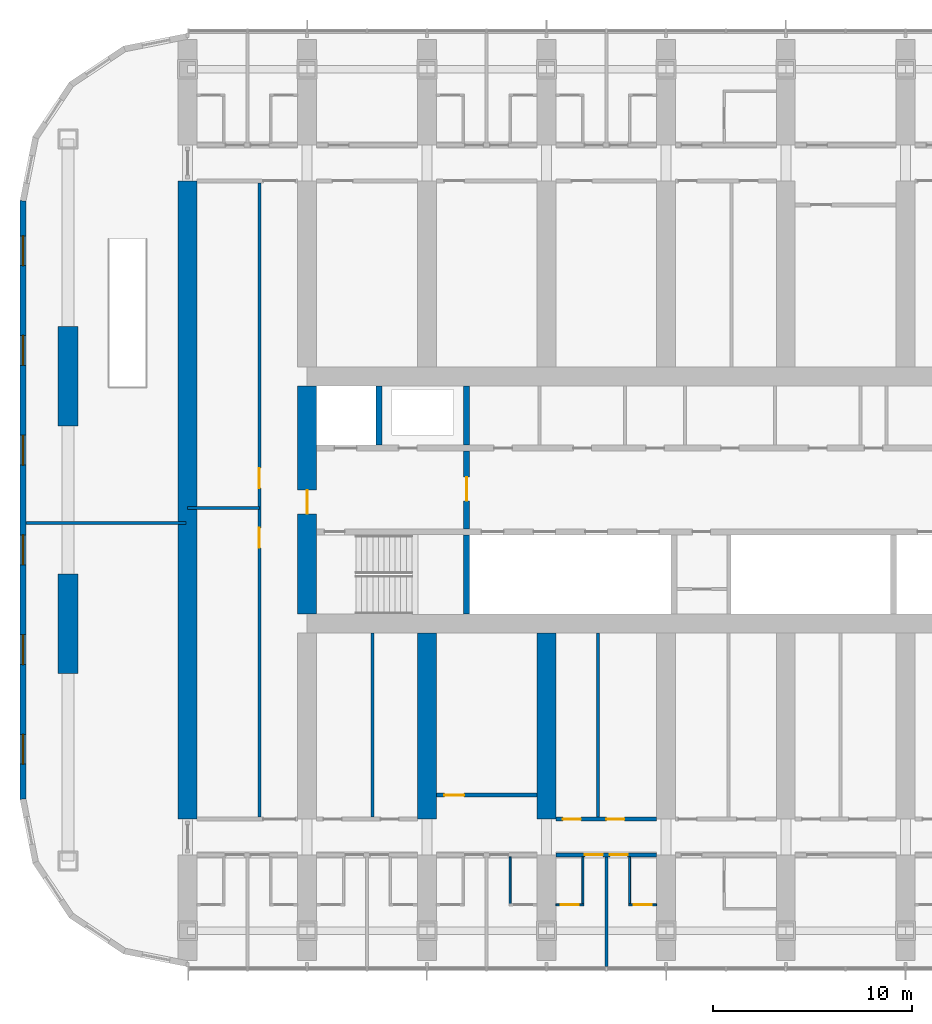
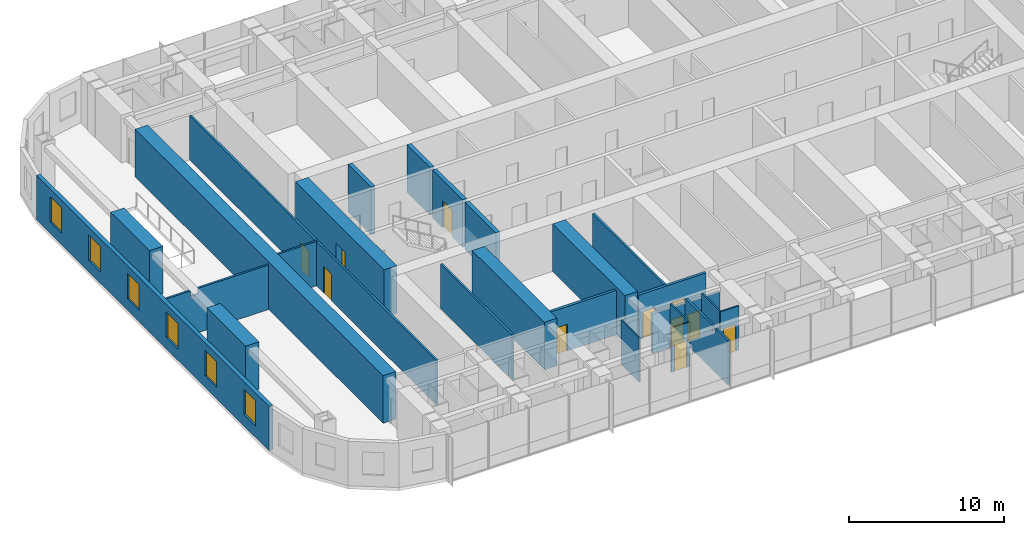
# One storey, part 9 of 21: 25 walls, 11 doors, 6 windows, 17 openings.
"""IFC4 building model written with IfcOpenShell, lengths in metres."""

from ifc_helpers import new_model, si_unit, direction, frame, frame_2d, origin, place, context, subcontext, project, spatial, polyline, rectangle, outline, extrude, material, layer, layer_set, type_object, element, fill, save


model = new_model("IFC4")

# Units and contexts
model_context = context("Model", 3, precision=1e-05, world=origin(), true_north=direction((0.0, 1.0)))
body_context = subcontext(model_context, "Body", "Model", "MODEL_VIEW")
ifc_project = project(units=[si_unit("LENGTHUNIT", "METRE"), si_unit("AREAUNIT", "SQUARE_METRE"), si_unit("VOLUMEUNIT", "CUBIC_METRE"), si_unit("PLANEANGLEUNIT", "RADIAN"), si_unit("MASSUNIT", "GRAM", prefix="KILO")], contexts=[model_context])

# Site, building, storey
site_placement = place(None, origin())
site = spatial("IfcSite", under=ifc_project, at=site_placement, CompositionType="ELEMENT")
building_placement = place(site_placement, origin())
building = spatial("IfcBuilding", under=site, at=building_placement, Name="Orbita Commons", CompositionType="ELEMENT")
storey_placement = place(building_placement, frame((0.0, 0.0, 88.14990234375)))
storey = spatial("IfcBuildingStorey", under=building, at=storey_placement, Name="L21", CompositionType="ELEMENT", Elevation=88.14990234375)

# Wall
ifc_material_1 = material(Name="Concrete C50/60", Category="concrete")
ifc_layer_1 = layer(ifc_material_1, 0.300048828125)
ifc_layer_set_1 = layer_set([ifc_layer_1], Name="Concrete C50/60")
wall_type_1 = type_object("IfcWallType", Name="Core inner wall 300 C50/60", PredefinedType="SHEAR", material=ifc_layer_set_1)
wall_1_placement = place(storey_placement, frame((26.0, 26.27490234375, 0.0), z_axis=(0.0, 0.0, 1.0), x_axis=(0.0, 1.0, 0.0)))
element("IfcWall", 1, at=wall_1_placement, inside=storey, type_object=wall_type_1, Name="Stair S1 wall L21", PredefinedType="SHEAR", context=body_context, shape_type="SweptSolid", body=[
    extrude(rectangle(XDim=3.97509765625, YDim=0.300048828125, at=frame_2d((1.987548828125, 0.0))), origin(), (0.0, 0.0, 1.0), 3.75),
])

# Wall, opening, door
wall_2_placement = place(storey_placement, frame((26.0, 30.550048828125, 0.0), z_axis=(0.0, 0.0, 1.0), x_axis=(0.0, 1.0, 0.0)))
wall_2 = element("IfcWall", 2, at=wall_2_placement, inside=storey, type_object=wall_type_1, Name="Firefighting lobby wall west L21", PredefinedType="SHEAR", context=body_context, shape_type="SweptSolid", body=[
    extrude(rectangle(XDim=3.89990234375, YDim=0.300048828125, at=frame_2d((1.949951171875, 0.0))), origin(), (0.0, 0.0, 1.0), 3.75),
])
opening_1_placement = place(wall_2_placement, frame((1.39990234375, 0.0, 0.0)))
opening_1 = element("IfcOpeningElement", 3, at=opening_1_placement, cuts=wall_2, Name="Opening D04", PredefinedType="OPENING", context=body_context, shape_type="SweptSolid", body=[
    extrude(rectangle(XDim=1.199951171875, YDim=2.10009765625, at=frame_2d((0.60009765625, 1.050048828125))), frame((0.0, 0.159912109375, 0.0), z_axis=(0.0, -1.0, 0.0), x_axis=(1.0, 0.0, 0.0)), (0.0, 0.0, 1.0), 0.320068359375),
])
ifc_material_2 = material(Name="Steel-faced fire door leaf", Category="steel")
door_type_1 = type_object("IfcDoorType", Name="Service door 20 min 1200x2100", OperationType="SINGLE_SWING_LEFT", PredefinedType="DOOR", material=ifc_material_2)
door_1_placement = place(opening_1_placement, origin())
door_1 = element("IfcDoor", 4, at=door_1_placement, inside=storey, type_object=door_type_1, Name="Lift lobby door west", OperationType="SINGLE_SWING_LEFT", OverallHeight=2.10009765625, OverallWidth=1.199951171875, PredefinedType="DOOR", context=body_context, shape_type="SweptSolid", body=[
    extrude(rectangle(XDim=1.199951171875, YDim=2.10009765625, at=frame_2d((0.60009765625, 1.050048828125))), frame((0.0, 0.02490234375, 0.0), z_axis=(0.0, -1.0, 0.0), x_axis=(1.0, 0.0, 0.0)), (0.0, 0.0, 1.0), 0.050048828125),
])
fill(opening_1, door_1)

# Walls
for number, where, z_axis, x_axis, name in (
    (5, (21.60009765625, 34.75, 0.0), (0.0, 0.0, 1.0), (0.0, 1.0, 0.0), "Firefighting lift FL1 shaft wall L21"),
    (6, (26.0, 34.75, 0.0), (0.0, 0.0, 1.0), (0.0, 1.0, 0.0), "Riser wall west L21"),
):
    element("IfcWall", number, at=place(storey_placement, frame(where, z_axis=z_axis, x_axis=x_axis)), inside=storey, type_object=wall_type_1, Name=name, PredefinedType="SHEAR", context=body_context, shape_type="SweptSolid", body=[
        extrude(rectangle(XDim=2.97509765625, YDim=0.300048828125, at=frame_2d((1.487548828125, 0.0))), origin(), (0.0, 0.0, 1.0), 3.75),
    ])

# Wall, opening, door
ifc_material_3 = material(Name="Concrete C50/60", Category="concrete")
ifc_layer_2 = layer(ifc_material_3, 0.949951171875)
ifc_layer_set_2 = layer_set([ifc_layer_2], Name="Concrete C50/60")
wall_type_2 = type_object("IfcWallType", Name="Core wall 950 C50/60", PredefinedType="SHEAR", material=ifc_layer_set_2)
wall_3_placement = place(storey_placement, frame((18.0, 26.27490234375, 0.0), z_axis=(0.0, 0.0, 1.0), x_axis=(0.0, 1.0, 0.0)))
wall_3 = element("IfcWall", 7, at=wall_3_placement, inside=storey, type_object=wall_type_2, Name="Core end wall west L21", PredefinedType="SHEAR", context=body_context, shape_type="SweptSolid", body=[
    extrude(rectangle(XDim=11.4501953125, YDim=0.949951171875, at=frame_2d((5.72509765625, 0.0))), origin(), (0.0, 0.0, 1.0), 3.75),
])
opening_2_placement = place(wall_3_placement, frame((5.02490234375, 0.0, 0.0)))
opening_2 = element("IfcOpeningElement", 8, at=opening_2_placement, cuts=wall_3, Name="Opening D01", PredefinedType="OPENING", context=body_context, shape_type="SweptSolid", body=[
    extrude(rectangle(XDim=1.199951171875, YDim=2.10009765625, at=frame_2d((0.60009765625, 1.050048828125))), frame((0.0, 0.48486328125, 0.0), z_axis=(0.0, -1.0, 0.0), x_axis=(1.0, 0.0, 0.0)), (0.0, 0.0, 1.0), 0.969970703125),
])
ifc_material_4 = material(Name="Steel-faced fire door leaf", Category="steel")
door_type_2 = type_object("IfcDoorType", Name="Fire door 90 min 1200x2100", OperationType="SINGLE_SWING_LEFT", PredefinedType="DOOR", material=ifc_material_4)
door_2_placement = place(opening_2_placement, origin())
door_2 = element("IfcDoor", 9, at=door_2_placement, inside=storey, type_object=door_type_2, Name="Firefighting lobby west door", OperationType="SINGLE_SWING_LEFT", OverallHeight=2.10009765625, OverallWidth=1.199951171875, PredefinedType="DOOR", context=body_context, shape_type="SweptSolid", body=[
    extrude(rectangle(XDim=1.199951171875, YDim=2.10009765625, at=frame_2d((0.60009765625, 1.050048828125))), frame((0.0, 0.02490234375, 0.0), z_axis=(0.0, -1.0, 0.0), x_axis=(1.0, 0.0, 0.0)), (0.0, 0.0, 1.0), 0.050048828125),
])
fill(opening_2, door_2)

# Wall, openings, doors
ifc_material_5 = material(Name="Concrete blockwork", Category="masonry")
ifc_layer_3 = layer(ifc_material_5, 0.199951171875)
ifc_layer_set_3 = layer_set([ifc_layer_3], Name="Concrete blockwork")
wall_type_3 = type_object("IfcWallType", Name="Corridor wall 200 blockwork", PredefinedType="SOLIDWALL", material=ifc_layer_set_3)
wall_4_placement = place(storey_placement, frame((30.47509765625, 14.199951171875, 0.0), z_axis=(0.0, 0.0, 1.0), x_axis=(1.0, 0.0, 0.0)))
wall_4 = element("IfcWall", 10, at=wall_4_placement, inside=storey, type_object=wall_type_3, Name="Corridor wall 200 blockwork L21", PredefinedType="SOLIDWALL", context=body_context, shape_type="SweptSolid", body=[
    extrude(outline(polyline([(0.0, 0.0), (5.0498046875, 0.0), (5.050048828125, 3.10009765625), (0.0, 3.10009765625), (0.0, 0.0)])), frame((0.0, 0.10009765625, 0.0), z_axis=(0.0, -1.0, 0.0), x_axis=(1.0, 0.0, 0.0)), (0.0, 0.0, 1.0), 0.199951171875),
])
opening_3_placement = place(wall_4_placement, frame((1.449951171875, 0.0, 0.0)))
opening_3 = element("IfcOpeningElement", 11, at=opening_3_placement, cuts=wall_4, Name="Opening D11", PredefinedType="OPENING", context=body_context, shape_type="SweptSolid", body=[
    extrude(rectangle(XDim=0.89990234375, YDim=2.10009765625, at=frame_2d((0.449951171875, 1.050048828125))), frame((0.0, 0.10986328125, 0.0), z_axis=(0.0, -1.0, 0.0), x_axis=(1.0, 0.0, 0.0)), (0.0, 0.0, 1.0), 0.219970703125),
])
opening_4_placement = place(wall_4_placement, frame((2.699951171875, 0.0, 0.0)))
opening_4 = element("IfcOpeningElement", 12, at=opening_4_placement, cuts=wall_4, Name="Opening D11", PredefinedType="OPENING", context=body_context, shape_type="SweptSolid", body=[
    extrude(rectangle(XDim=0.89990234375, YDim=2.10009765625, at=frame_2d((0.449951171875, 1.050048828125))), frame((0.0, 0.10986328125, 0.0), z_axis=(0.0, -1.0, 0.0), x_axis=(1.0, 0.0, 0.0)), (0.0, 0.0, 1.0), 0.219970703125),
])
ifc_material_6 = material(Name="Steel-faced fire door leaf", Category="steel")
door_type_3 = type_object("IfcDoorType", Name="Corridor door 20 min 900x2100", OperationType="SINGLE_SWING_LEFT", PredefinedType="DOOR", material=ifc_material_6)
door_3_placement = place(opening_3_placement, origin())
door_3 = element("IfcDoor", 13, at=door_3_placement, inside=storey, type_object=door_type_3, Name="Cluster bedroom L21-S06 door", OperationType="SINGLE_SWING_LEFT", OverallHeight=2.10009765625, OverallWidth=0.89990234375, PredefinedType="DOOR", context=body_context, shape_type="SweptSolid", body=[
    extrude(rectangle(XDim=0.89990234375, YDim=2.10009765625, at=frame_2d((0.449951171875, 1.050048828125))), frame((0.0, 0.02490234375, 0.0), z_axis=(0.0, -1.0, 0.0), x_axis=(1.0, 0.0, 0.0)), (0.0, 0.0, 1.0), 0.050048828125),
])
fill(opening_3, door_3)
door_4_placement = place(opening_4_placement, origin())
door_4 = element("IfcDoor", 14, at=door_4_placement, inside=storey, type_object=door_type_3, Name="Cluster bedroom L21-S07 door", OperationType="SINGLE_SWING_LEFT", OverallHeight=2.10009765625, OverallWidth=0.89990234375, PredefinedType="DOOR", context=body_context, shape_type="SweptSolid", body=[
    extrude(rectangle(XDim=0.89990234375, YDim=2.10009765625, at=frame_2d((0.449951171875, 1.050048828125))), frame((0.0, 0.02490234375, 0.0), z_axis=(0.0, -1.0, 0.0), x_axis=(1.0, 0.0, 0.0)), (0.0, 0.0, 1.0), 0.050048828125),
])
fill(opening_4, door_4)

ifc_material_7 = material(Name="Hollow concrete block 200", Category="concrete")
ifc_layer_4 = layer(ifc_material_7, 0.199951171875)
ifc_layer_set_4 = layer_set([ifc_layer_4], Name="Hollow concrete block 200")
wall_type_4 = type_object("IfcWallType", Name="Corridor wall 200 hollow concrete block", PredefinedType="SOLIDWALL", material=ifc_layer_set_4)
wall_5_placement = place(storey_placement, frame((30.47509765625, 16.0, 0.0), z_axis=(0.0, 0.0, 1.0), x_axis=(1.0, 0.0, 0.0)))
wall_5 = element("IfcWall", 15, at=wall_5_placement, inside=storey, type_object=wall_type_4, Name="Corridor wall 200 hollow concrete block L21", PredefinedType="SOLIDWALL", context=body_context, shape_type="SweptSolid", body=[
    extrude(rectangle(XDim=5.0498046875, YDim=0.199951171875, at=frame_2d((2.52490234375, 0.0))), origin(), (0.0, 0.0, 1.0), 3.5),
])
opening_5_placement = place(wall_5_placement, frame((0.35009765625, 0.0, 0.0)))
opening_5 = element("IfcOpeningElement", 16, at=opening_5_placement, cuts=wall_5, Name="Opening D11", PredefinedType="OPENING", context=body_context, shape_type="SweptSolid", body=[
    extrude(rectangle(XDim=0.89990234375, YDim=2.10009765625, at=frame_2d((0.449951171875, 1.050048828125))), frame((0.0, 0.10986328125, 0.0), z_axis=(0.0, -1.0, 0.0), x_axis=(1.0, 0.0, 0.0)), (0.0, 0.0, 1.0), 0.219970703125),
])
opening_6_placement = place(wall_5_placement, frame((2.534912109375, 0.0, 0.0)))
opening_6 = element("IfcOpeningElement", 17, at=opening_6_placement, cuts=wall_5, Name="Opening D11", PredefinedType="OPENING", context=body_context, shape_type="SweptSolid", body=[
    extrude(rectangle(XDim=0.89990234375, YDim=2.10009765625, at=frame_2d((0.449951171875, 1.050048828125))), frame((0.0, 0.10986328125, 0.0), z_axis=(0.0, -1.0, 0.0), x_axis=(1.0, 0.0, 0.0)), (0.0, 0.0, 1.0), 0.219970703125),
])
door_5_placement = place(opening_5_placement, origin())
door_5 = element("IfcDoor", 18, at=door_5_placement, inside=storey, type_object=door_type_3, Name="Equipment store L21-BDS30n door", OperationType="SINGLE_SWING_LEFT", OverallHeight=2.10009765625, OverallWidth=0.89990234375, PredefinedType="DOOR", context=body_context, shape_type="SweptSolid", body=[
    extrude(rectangle(XDim=0.89990234375, YDim=2.10009765625, at=frame_2d((0.449951171875, 1.050048828125))), frame((0.0, 0.02490234375, 0.0), z_axis=(0.0, -1.0, 0.0), x_axis=(1.0, 0.0, 0.0)), (0.0, 0.0, 1.0), 0.050048828125),
])
fill(opening_5, door_5)
door_6_placement = place(opening_6_placement, origin())
door_6 = element("IfcDoor", 19, at=door_6_placement, inside=storey, type_object=door_type_3, Name="Bicycle repair workshop L21-BDS30 door", OperationType="SINGLE_SWING_LEFT", OverallHeight=2.10009765625, OverallWidth=0.89990234375, PredefinedType="DOOR", context=body_context, shape_type="SweptSolid", body=[
    extrude(rectangle(XDim=0.89990234375, YDim=2.10009765625, at=frame_2d((0.449951171875, 1.050048828125))), frame((0.0, 0.02490234375, 0.0), z_axis=(0.0, -1.0, 0.0), x_axis=(1.0, 0.0, 0.0)), (0.0, 0.0, 1.0), 0.050048828125),
])
fill(opening_6, door_6)

# Wall, opening, door
wall_6_placement = place(storey_placement, frame((24.47509765625, 17.199951171875, 0.0), z_axis=(0.0, 0.0, 1.0), x_axis=(1.0, 0.0, 0.0)))
wall_6 = element("IfcWall", 20, at=wall_6_placement, inside=storey, type_object=wall_type_4, Name="Corridor wall 200 hollow concrete block L21", PredefinedType="SOLIDWALL", context=body_context, shape_type="SweptSolid", body=[
    extrude(rectangle(XDim=5.0498046875, YDim=0.199951171875, at=frame_2d((2.52490234375, 0.0))), origin(), (0.0, 0.0, 1.0), 3.5),
])
opening_7_placement = place(wall_6_placement, frame((0.39990234375, 0.0, 0.0)))
opening_7 = element("IfcOpeningElement", 21, at=opening_7_placement, cuts=wall_6, Name="Opening D06", PredefinedType="OPENING", context=body_context, shape_type="SweptSolid", body=[
    extrude(rectangle(XDim=1.0, YDim=2.10009765625, at=frame_2d((0.5, 1.050048828125))), frame((0.0, 0.10986328125, 0.0), z_axis=(0.0, -1.0, 0.0), x_axis=(1.0, 0.0, 0.0)), (0.0, 0.0, 1.0), 0.219970703125),
])
ifc_material_8 = material(Name="Steel-faced fire door leaf", Category="steel")
door_type_4 = type_object("IfcDoorType", Name="Corridor door 20 min 1000x2100", OperationType="SINGLE_SWING_LEFT", PredefinedType="DOOR", material=ifc_material_8)
door_7_placement = place(opening_7_placement, origin())
door_7 = element("IfcDoor", 22, at=door_7_placement, inside=storey, type_object=door_type_4, Name="Quiet room L21-BDS24 door", OperationType="SINGLE_SWING_LEFT", OverallHeight=2.10009765625, OverallWidth=1.0, PredefinedType="DOOR", context=body_context, shape_type="SweptSolid", body=[
    extrude(rectangle(XDim=1.0, YDim=2.10009765625, at=frame_2d((0.5, 1.050048828125))), frame((0.0, 0.02490234375, 0.0), z_axis=(0.0, -1.0, 0.0), x_axis=(1.0, 0.0, 0.0)), (0.0, 0.0, 1.0), 0.050048828125),
])
fill(opening_7, door_7)

# Walls
ifc_material_9 = material(Name="Concrete C50/60", Category="concrete")
ifc_layer_5 = layer(ifc_material_9, 0.949951171875)
ifc_layer_set_5 = layer_set([ifc_layer_5], Name="Concrete C50/60")
wall_type_5 = type_object("IfcWallType", Name="Cross wall 950 C50/60", PredefinedType="SHEAR", material=ifc_layer_set_5)
wall_7_placement = place(storey_placement, frame((12.0, 16.0, 0.0), z_axis=(0.0, 0.0, 1.0), x_axis=(0.0, 1.0, 0.0)))
element("IfcWall", 23, at=wall_7_placement, inside=storey, type_object=wall_type_5, Name="Cross wall 3 inner L21", PredefinedType="SHEAR", context=body_context, shape_type="SweptSolid", body=[
    extrude(rectangle(XDim=32.0, YDim=0.949951171875, at=frame_2d((16.0, 0.0))), origin(), (0.0, 0.0, 1.0), 3.75),
])
for number, where, z_axis, x_axis, name in (
    (24, (24.0, 16.0, 0.0), (0.0, 0.0, 1.0), (0.0, 1.0, 0.0), "Cross wall 5 south inner L21"),
    (25, (30.0, 16.0, 0.0), (0.0, 0.0, 1.0), (0.0, 1.0, 0.0), "Cross wall 6 south inner L21"),
):
    element("IfcWall", number, at=place(storey_placement, frame(where, z_axis=z_axis, x_axis=x_axis)), inside=storey, type_object=wall_type_5, Name=name, PredefinedType="SHEAR", context=body_context, shape_type="SweptSolid", body=[
        extrude(rectangle(XDim=9.324951171875, YDim=0.949951171875, at=frame_2d((4.66259765625, 0.0))), origin(), (0.0, 0.0, 1.0), 3.75),
    ])
ifc_material_10 = material(Name="Moisture-resistant plasterboard on steel studs", Category="steel")
ifc_layer_6 = layer(ifc_material_10, 0.10009765625)
ifc_layer_set_6 = layer_set([ifc_layer_6], Name="Moisture-resistant plasterboard on steel studs")
wall_type_6 = type_object("IfcWallType", Name="En-suite partition 100", PredefinedType="PARTITIONING", material=ifc_layer_set_6)
wall_8_placement = place(storey_placement, frame((28.175048828125, 11.75, 0.0), z_axis=(0.0, 0.0, 1.0), x_axis=(0.0, 1.0, 0.0)))
element("IfcWall", 26, at=wall_8_placement, inside=storey, type_object=wall_type_6, Name="En-suite partition 100 L21", PredefinedType="PARTITIONING", context=body_context, shape_type="SweptSolid", body=[
    extrude(outline(polyline([(0.0, 0.0), (2.35009765625, 0.0), (2.35009765625, 3.10009765625), (2.302001953125, 3.10009765625), (2.300048828125, 3.5), (0.0, 3.5), (0.0, 0.0)])), frame((0.0, 0.050048828125, 0.0), z_axis=(0.0, -1.0, 0.0), x_axis=(1.0, 0.0, 0.0)), (0.0, 0.0, 1.0), 0.10009765625),
])

# Wall, opening, door
wall_9_placement = place(storey_placement, frame((31.875, 11.699951171875, 0.0), z_axis=(0.0, 0.0, 1.0), x_axis=(-1.0, 0.0, 0.0)))
wall_9 = element("IfcWall", 27, at=wall_9_placement, inside=storey, type_object=wall_type_6, Name="En-suite partition 100 L21", PredefinedType="PARTITIONING", context=body_context, shape_type="SweptSolid", body=[
    extrude(rectangle(XDim=1.39990234375, YDim=0.10009765625, at=frame_2d((0.699951171875, 0.0))), origin(), (0.0, 0.0, 1.0), 3.5),
])
opening_8_placement = place(wall_9_placement, frame((0.25, 0.0, 0.0)))
opening_8 = element("IfcOpeningElement", 28, at=opening_8_placement, cuts=wall_9, Name="Opening D09", PredefinedType="OPENING", context=body_context, shape_type="SweptSolid", body=[
    extrude(rectangle(XDim=0.89990234375, YDim=2.10009765625, at=frame_2d((0.449951171875, 1.050048828125))), frame((0.0, 0.06005859375, 0.0), z_axis=(0.0, -1.0, 0.0), x_axis=(1.0, 0.0, 0.0)), (0.0, 0.0, 1.0), 0.1201171875),
])
ifc_material_11 = material(Name="Laminated timber door leaf", Category="wood")
door_type_5 = type_object("IfcDoorType", Name="En-suite door 900x2100", OperationType="SINGLE_SWING_RIGHT", PredefinedType="DOOR", material=ifc_material_11)
door_8_placement = place(opening_8_placement, origin())
door_8 = element("IfcDoor", 29, at=door_8_placement, inside=storey, type_object=door_type_5, Name="En-suite L21-S06 door", OperationType="SINGLE_SWING_RIGHT", OverallHeight=2.10009765625, OverallWidth=0.89990234375, PredefinedType="DOOR", context=body_context, shape_type="SweptSolid", body=[
    extrude(rectangle(XDim=0.89990234375, YDim=2.10009765625, at=frame_2d((0.449951171875, 1.050048828125))), frame((0.0, 0.02490234375, 0.0), z_axis=(0.0, -1.0, 0.0), x_axis=(1.0, 0.0, 0.0)), (0.0, 0.0, 1.0), 0.050048828125),
])
fill(opening_8, door_8)

# Wall
wall_10_placement = place(storey_placement, frame((31.824951171875, 11.75, 0.0), z_axis=(0.0, 0.0, 1.0), x_axis=(0.0, 1.0, 0.0)))
element("IfcWall", 30, at=wall_10_placement, inside=storey, type_object=wall_type_6, Name="En-suite partition 100 L21", PredefinedType="PARTITIONING", context=body_context, shape_type="SweptSolid", body=[
    extrude(outline(polyline([(0.0, 0.0), (2.35009765625, 0.0), (2.35009765625, 3.10009765625), (2.302001953125, 3.10009765625), (2.300048828125, 3.5), (0.0, 3.5), (0.0, 0.0)])), frame((0.0, 0.050048828125, 0.0), z_axis=(0.0, -1.0, 0.0), x_axis=(1.0, 0.0, 0.0)), (0.0, 0.0, 1.0), 0.10009765625),
])

# Wall, opening, door
wall_11_placement = place(storey_placement, frame((35.52490234375, 11.699951171875, 0.0), z_axis=(0.0, 0.0, 1.0), x_axis=(-1.0, 0.0, 0.0)))
wall_11 = element("IfcWall", 31, at=wall_11_placement, inside=storey, type_object=wall_type_6, Name="En-suite partition 100 L21", PredefinedType="PARTITIONING", context=body_context, shape_type="SweptSolid", body=[
    extrude(rectangle(XDim=1.39990234375, YDim=0.10009765625, at=frame_2d((0.699951171875, 0.0))), origin(), (0.0, 0.0, 1.0), 3.5),
])
opening_9_placement = place(wall_11_placement, frame((0.25, 0.0, 0.0)))
opening_9 = element("IfcOpeningElement", 32, at=opening_9_placement, cuts=wall_11, Name="Opening D09", PredefinedType="OPENING", context=body_context, shape_type="SweptSolid", body=[
    extrude(rectangle(XDim=0.89990234375, YDim=2.10009765625, at=frame_2d((0.449951171875, 1.050048828125))), frame((0.0, 0.06005859375, 0.0), z_axis=(0.0, -1.0, 0.0), x_axis=(1.0, 0.0, 0.0)), (0.0, 0.0, 1.0), 0.1201171875),
])
door_9_placement = place(opening_9_placement, origin())
door_9 = element("IfcDoor", 33, at=door_9_placement, inside=storey, type_object=door_type_5, Name="En-suite L21-S07 door", OperationType="SINGLE_SWING_RIGHT", OverallHeight=2.10009765625, OverallWidth=0.89990234375, PredefinedType="DOOR", context=body_context, shape_type="SweptSolid", body=[
    extrude(rectangle(XDim=0.89990234375, YDim=2.10009765625, at=frame_2d((0.449951171875, 1.050048828125))), frame((0.0, 0.02490234375, 0.0), z_axis=(0.0, -1.0, 0.0), x_axis=(1.0, 0.0, 0.0)), (0.0, 0.0, 1.0), 0.050048828125),
])
fill(opening_9, door_9)

# Walls
wall_12_placement = place(storey_placement, frame((34.175048828125, 11.75, 0.0), z_axis=(0.0, 0.0, 1.0), x_axis=(0.0, 1.0, 0.0)))
element("IfcWall", 34, at=wall_12_placement, inside=storey, type_object=wall_type_6, Name="En-suite partition 100 L21", PredefinedType="PARTITIONING", context=body_context, shape_type="SweptSolid", body=[
    extrude(outline(polyline([(0.0, 0.0), (2.35009765625, 0.0), (2.35009765625, 3.10009765625), (2.302001953125, 3.10009765625), (2.300048828125, 3.5), (0.0, 3.5), (0.0, 0.0)])), frame((0.0, 0.050048828125, 0.0), z_axis=(0.0, -1.0, 0.0), x_axis=(1.0, 0.0, 0.0)), (0.0, 0.0, 1.0), 0.10009765625),
])
ifc_material_12 = material(Name="Concrete C50/60", Category="concrete")
ifc_layer_7 = layer(ifc_material_12, 1.0)
ifc_layer_set_7 = layer_set([ifc_layer_7], Name="Concrete C50/60")
wall_type_7 = type_object("IfcWallType", Name="End pier 1000x5000 C50/60", PredefinedType="SHEAR", material=ifc_layer_set_7)
for number, where, z_axis, x_axis, name in (
    (35, (6.0, 23.300048828125, 0.0), (0.0, 0.0, 1.0), (0.0, 1.0, 0.0), "End pier 2/C L21"),
    (36, (6.0, 35.699951171875, 0.0), (0.0, 0.0, 1.0), (0.0, 1.0, 0.0), "End pier 2/D L21"),
):
    element("IfcWall", number, at=place(storey_placement, frame(where, z_axis=z_axis, x_axis=x_axis)), inside=storey, type_object=wall_type_7, Name=name, PredefinedType="SHEAR", context=body_context, shape_type="SweptSolid", body=[
        extrude(rectangle(XDim=5.0, YDim=1.0, at=frame_2d((2.5, 0.0))), origin(), (0.0, 0.0, 1.0), 3.75),
    ])
ifc_material_13 = material(Name="Gypsum plasterboard on steel studs", Category="steel")
ifc_layer_8 = layer(ifc_material_13, 0.14990234375)
ifc_layer_set_8 = layer_set([ifc_layer_8], Name="Gypsum plasterboard on steel studs")
wall_type_8 = type_object("IfcWallType", Name="Partition 150 plasterboard", PredefinedType="PARTITIONING", material=ifc_layer_set_8)
for number, where, z_axis, x_axis, name in (
    (37, (21.264892578125, 16.10009765625, 0.0), (0.0, 0.0, 1.0), (0.0, 1.0, 0.0), "Partition 150 plasterboard L21"),
    (38, (32.5849609375, 16.10009765625, 0.0), (0.0, 0.0, 1.0), (0.0, 1.0, 0.0), "Partition 150 plasterboard L21"),
):
    element("IfcWall", number, at=place(storey_placement, frame(where, z_axis=z_axis, x_axis=x_axis)), inside=storey, type_object=wall_type_8, Name=name, PredefinedType="PARTITIONING", context=body_context, shape_type="SweptSolid", body=[
        extrude(rectangle(XDim=9.224853515625, YDim=0.14990234375, at=frame_2d((4.6123046875, 0.0))), origin(), (0.0, 0.0, 1.0), 3.5),
    ])

# Wall, openings, doors
wall_13_placement = place(storey_placement, frame((15.60009765625, 16.10009765625, 0.0), z_axis=(0.0, 0.0, 1.0), x_axis=(0.0, 1.0, 0.0)))
wall_13 = element("IfcWall", 39, at=wall_13_placement, inside=storey, type_object=wall_type_8, Name="Partition 150 plasterboard L21", PredefinedType="PARTITIONING", context=body_context, shape_type="SweptSolid", body=[
    extrude(rectangle(XDim=31.7998046875, YDim=0.14990234375, at=frame_2d((15.89990234375, 0.0))), origin(), (0.0, 0.0, 1.0), 3.5),
])
opening_10_placement = place(wall_13_placement, frame((13.5, 0.0, 0.0)))
opening_10 = element("IfcOpeningElement", 40, at=opening_10_placement, cuts=wall_13, Name="Opening D06", PredefinedType="OPENING", context=body_context, shape_type="SweptSolid", body=[
    extrude(rectangle(XDim=1.0, YDim=2.10009765625, at=frame_2d((0.5, 1.050048828125))), frame((0.0, 0.0849609375, 0.0), z_axis=(0.0, -1.0, 0.0), x_axis=(1.0, 0.0, 0.0)), (0.0, 0.0, 1.0), 0.169921875),
])
opening_11_placement = place(wall_13_placement, frame((16.5, 0.0, 0.0)))
opening_11 = element("IfcOpeningElement", 41, at=opening_11_placement, cuts=wall_13, Name="Opening D06", PredefinedType="OPENING", context=body_context, shape_type="SweptSolid", body=[
    extrude(rectangle(XDim=1.0, YDim=2.10009765625, at=frame_2d((0.5, 1.050048828125))), frame((0.0, 0.0849609375, 0.0), z_axis=(0.0, -1.0, 0.0), x_axis=(1.0, 0.0, 0.0)), (0.0, 0.0, 1.0), 0.169921875),
])
door_10_placement = place(opening_10_placement, origin())
door_10 = element("IfcDoor", 42, at=door_10_placement, inside=storey, type_object=door_type_4, Name="Interview room door", OperationType="SINGLE_SWING_LEFT", OverallHeight=2.10009765625, OverallWidth=1.0, PredefinedType="DOOR", context=body_context, shape_type="SweptSolid", body=[
    extrude(rectangle(XDim=1.0, YDim=2.10009765625, at=frame_2d((0.5, 1.050048828125))), frame((0.0, 0.02490234375, 0.0), z_axis=(0.0, -1.0, 0.0), x_axis=(1.0, 0.0, 0.0)), (0.0, 0.0, 1.0), 0.050048828125),
])
fill(opening_10, door_10)
door_11_placement = place(opening_11_placement, origin())
door_11 = element("IfcDoor", 43, at=door_11_placement, inside=storey, type_object=door_type_4, Name="Prayer room door", OperationType="SINGLE_SWING_LEFT", OverallHeight=2.10009765625, OverallWidth=1.0, PredefinedType="DOOR", context=body_context, shape_type="SweptSolid", body=[
    extrude(rectangle(XDim=1.0, YDim=2.10009765625, at=frame_2d((0.5, 1.050048828125))), frame((0.0, 0.02490234375, 0.0), z_axis=(0.0, -1.0, 0.0), x_axis=(1.0, 0.0, 0.0)), (0.0, 0.0, 1.0), 0.050048828125),
])
fill(opening_11, door_11)

# Walls
wall_14_placement = place(storey_placement, frame((12.0, 31.60009765625, 0.0), z_axis=(0.0, 0.0, 1.0), x_axis=(1.0, 0.0, 0.0)))
element("IfcWall", 44, at=wall_14_placement, inside=storey, type_object=wall_type_8, Name="Partition 150 plasterboard L21", PredefinedType="PARTITIONING", context=body_context, shape_type="SweptSolid", body=[
    extrude(rectangle(XDim=3.60009765625, YDim=0.14990234375, at=frame_2d((1.800048828125, 0.0))), origin(), (0.0, 0.0, 1.0), 3.5),
])
wall_15_placement = place(storey_placement, frame((3.905029296875, 30.85009765625, 0.0), z_axis=(0.0, 0.0, 1.0), x_axis=(1.0, 0.0, 0.0)))
element("IfcWall", 45, at=wall_15_placement, inside=storey, type_object=wall_type_8, Name="Partition 150 plasterboard L21", PredefinedType="PARTITIONING", context=body_context, shape_type="SweptSolid", body=[
    extrude(outline(polyline([(0.0, 0.0), (8.02001953125, 0.0), (8.02001953125, 3.5), (2.39697265625, 3.5), (2.39501953125, 3.050048828125), (1.797119140625, 3.050048828125), (1.794921875, 3.5), (0.0, 3.5), (0.0, 0.0)])), frame((0.0, 0.074951171875, 0.0), z_axis=(0.0, -1.0, 0.0), x_axis=(1.0, 0.0, 0.0)), (0.0, 0.0, 1.0), 0.14990234375),
])
ifc_material_14 = material(Name="Gypsum plasterboard on steel studs", Category="steel")
ifc_layer_9 = layer(ifc_material_14, 0.14990234375)
ifc_layer_set_9 = layer_set([ifc_layer_9], Name="Gypsum plasterboard on steel studs")
wall_type_9 = type_object("IfcWallType", Name="Party wall 150 plasterboard", PredefinedType="PARTITIONING", material=ifc_layer_set_9)
wall_16_placement = place(storey_placement, frame((33.0, 8.610107421875, 0.0), z_axis=(0.0, 0.0, 1.0), x_axis=(0.0, 1.0, 0.0)))
element("IfcWall", 46, at=wall_16_placement, inside=storey, type_object=wall_type_9, Name="Party wall 150 plasterboard L21", PredefinedType="PARTITIONING", context=body_context, shape_type="SweptSolid", body=[
    extrude(outline(polyline([(0.0, 0.0), (5.489990234375, 0.0), (5.489990234375, 3.10009765625), (5.44189453125, 3.10009765625), (5.43994140625, 3.5), (1.991943359375, 3.5), (1.989990234375, 3.10009765625), (1.592041015625, 3.10009765625), (1.590087890625, 3.5), (0.0, 3.5), (0.0, 0.0)])), frame((0.0, 0.074951171875, 0.0), z_axis=(0.0, -1.0, 0.0), x_axis=(1.0, 0.0, 0.0)), (0.0, 0.0, 1.0), 0.14990234375),
])

# Wall, openings, windows
ifc_material_15 = material(Name="Precast concrete C40/50, white board-marked finish", Category="concrete")
ifc_layer_10 = layer(ifc_material_15, 0.300048828125)
ifc_layer_set_10 = layer_set([ifc_layer_10], Name="Precast concrete C40/50, white board-marked finish")
wall_type_10 = type_object("IfcWallType", Name="Precast concrete end shield 300", PredefinedType="SOLIDWALL", material=ifc_layer_set_10)
wall_17_placement = place(storey_placement, frame((3.75, 47.0, 0.0), z_axis=(0.0, 0.0, 1.0), x_axis=(0.0, -1.0, 0.0)))
wall_17 = element("IfcWall", 47, at=wall_17_placement, inside=storey, type_object=wall_type_10, Name="End shield W L21", PredefinedType="SOLIDWALL", context=body_context, shape_type="SweptSolid", body=[
    extrude(outline(polyline([(-0.014892578125, -0.14990234375), (30.014892578125, -0.14990234375), (29.985107421875, 0.14990234375), (0.014892578125, 0.14990234375), (-0.014892578125, -0.14990234375)])), origin(), (0.0, 0.0, 1.0), 3.5),
])
opening_12_placement = place(wall_17_placement, frame((1.75, 0.0, 0.89990234375)))
opening_12 = element("IfcOpeningElement", 48, at=opening_12_placement, cuts=wall_17, Name="Opening W01", PredefinedType="OPENING", context=body_context, shape_type="SweptSolid", body=[
    extrude(rectangle(XDim=1.5, YDim=2.0, at=frame_2d((0.75, 1.0))), frame((0.0, 0.159912109375, 0.0), z_axis=(0.0, -1.0, 0.0), x_axis=(1.0, 0.0, 0.0)), (0.0, 0.0, 1.0), 0.320068359375),
])
opening_13_placement = place(wall_17_placement, frame((6.75, 0.0, 0.89990234375)))
opening_13 = element("IfcOpeningElement", 49, at=opening_13_placement, cuts=wall_17, Name="Opening W01", PredefinedType="OPENING", context=body_context, shape_type="SweptSolid", body=[
    extrude(rectangle(XDim=1.5, YDim=2.0, at=frame_2d((0.75, 1.0))), frame((0.0, 0.159912109375, 0.0), z_axis=(0.0, -1.0, 0.0), x_axis=(1.0, 0.0, 0.0)), (0.0, 0.0, 1.0), 0.320068359375),
])
opening_14_placement = place(wall_17_placement, frame((11.75, 0.0, 0.89990234375)))
opening_14 = element("IfcOpeningElement", 50, at=opening_14_placement, cuts=wall_17, Name="Opening W01", PredefinedType="OPENING", context=body_context, shape_type="SweptSolid", body=[
    extrude(rectangle(XDim=1.5, YDim=2.0, at=frame_2d((0.75, 1.0))), frame((0.0, 0.159912109375, 0.0), z_axis=(0.0, -1.0, 0.0), x_axis=(1.0, 0.0, 0.0)), (0.0, 0.0, 1.0), 0.320068359375),
])
opening_15_placement = place(wall_17_placement, frame((16.75, 0.0, 0.89990234375)))
opening_15 = element("IfcOpeningElement", 51, at=opening_15_placement, cuts=wall_17, Name="Opening W01", PredefinedType="OPENING", context=body_context, shape_type="SweptSolid", body=[
    extrude(rectangle(XDim=1.5, YDim=2.0, at=frame_2d((0.75, 1.0))), frame((0.0, 0.159912109375, 0.0), z_axis=(0.0, -1.0, 0.0), x_axis=(1.0, 0.0, 0.0)), (0.0, 0.0, 1.0), 0.320068359375),
])
opening_16_placement = place(wall_17_placement, frame((21.75, 0.0, 0.89990234375)))
opening_16 = element("IfcOpeningElement", 52, at=opening_16_placement, cuts=wall_17, Name="Opening W01", PredefinedType="OPENING", context=body_context, shape_type="SweptSolid", body=[
    extrude(rectangle(XDim=1.5, YDim=2.0, at=frame_2d((0.75, 1.0))), frame((0.0, 0.159912109375, 0.0), z_axis=(0.0, -1.0, 0.0), x_axis=(1.0, 0.0, 0.0)), (0.0, 0.0, 1.0), 0.320068359375),
])
opening_17_placement = place(wall_17_placement, frame((26.75, 0.0, 0.89990234375)))
opening_17 = element("IfcOpeningElement", 53, at=opening_17_placement, cuts=wall_17, Name="Opening W01", PredefinedType="OPENING", context=body_context, shape_type="SweptSolid", body=[
    extrude(rectangle(XDim=1.5, YDim=2.0, at=frame_2d((0.75, 1.0))), frame((0.0, 0.159912109375, 0.0), z_axis=(0.0, -1.0, 0.0), x_axis=(1.0, 0.0, 0.0)), (0.0, 0.0, 1.0), 0.320068359375),
])
ifc_material_16 = material(Name="Aluminium frame, clear double glazing", Category="aluminium")
window_type = type_object("IfcWindowType", Name="Deep-set window 1500x2000", PartitioningType="SINGLE_PANEL", PredefinedType="WINDOW", material=ifc_material_16)
window_1_placement = place(opening_12_placement, origin())
window_1 = element("IfcWindow", 54, at=window_1_placement, inside=storey, type_object=window_type, Name="Window L21-W 1", OverallHeight=2.0, OverallWidth=1.5, PartitioningType="SINGLE_PANEL", PredefinedType="WINDOW", context=body_context, shape_type="SweptSolid", body=[
    extrude(rectangle(XDim=1.5, YDim=2.0, at=frame_2d((0.75, 1.0))), frame((0.0, 0.030029296875, 0.0), z_axis=(0.0, -1.0, 0.0), x_axis=(1.0, 0.0, 0.0)), (0.0, 0.0, 1.0), 0.06005859375),
])
fill(opening_12, window_1)
window_2_placement = place(opening_13_placement, origin())
window_2 = element("IfcWindow", 55, at=window_2_placement, inside=storey, type_object=window_type, Name="Window L21-W 2", OverallHeight=2.0, OverallWidth=1.5, PartitioningType="SINGLE_PANEL", PredefinedType="WINDOW", context=body_context, shape_type="SweptSolid", body=[
    extrude(rectangle(XDim=1.5, YDim=2.0, at=frame_2d((0.75, 1.0))), frame((0.0, 0.030029296875, 0.0), z_axis=(0.0, -1.0, 0.0), x_axis=(1.0, 0.0, 0.0)), (0.0, 0.0, 1.0), 0.06005859375),
])
fill(opening_13, window_2)
window_3_placement = place(opening_14_placement, origin())
window_3 = element("IfcWindow", 56, at=window_3_placement, inside=storey, type_object=window_type, Name="Window L21-W 3", OverallHeight=2.0, OverallWidth=1.5, PartitioningType="SINGLE_PANEL", PredefinedType="WINDOW", context=body_context, shape_type="SweptSolid", body=[
    extrude(rectangle(XDim=1.5, YDim=2.0, at=frame_2d((0.75, 1.0))), frame((0.0, 0.030029296875, 0.0), z_axis=(0.0, -1.0, 0.0), x_axis=(1.0, 0.0, 0.0)), (0.0, 0.0, 1.0), 0.06005859375),
])
fill(opening_14, window_3)
window_4_placement = place(opening_15_placement, origin())
window_4 = element("IfcWindow", 57, at=window_4_placement, inside=storey, type_object=window_type, Name="Window L21-W 4", OverallHeight=2.0, OverallWidth=1.5, PartitioningType="SINGLE_PANEL", PredefinedType="WINDOW", context=body_context, shape_type="SweptSolid", body=[
    extrude(rectangle(XDim=1.5, YDim=2.0, at=frame_2d((0.75, 1.0))), frame((0.0, 0.030029296875, 0.0), z_axis=(0.0, -1.0, 0.0), x_axis=(1.0, 0.0, 0.0)), (0.0, 0.0, 1.0), 0.06005859375),
])
fill(opening_15, window_4)
window_5_placement = place(opening_16_placement, origin())
window_5 = element("IfcWindow", 58, at=window_5_placement, inside=storey, type_object=window_type, Name="Window L21-W 5", OverallHeight=2.0, OverallWidth=1.5, PartitioningType="SINGLE_PANEL", PredefinedType="WINDOW", context=body_context, shape_type="SweptSolid", body=[
    extrude(rectangle(XDim=1.5, YDim=2.0, at=frame_2d((0.75, 1.0))), frame((0.0, 0.030029296875, 0.0), z_axis=(0.0, -1.0, 0.0), x_axis=(1.0, 0.0, 0.0)), (0.0, 0.0, 1.0), 0.06005859375),
])
fill(opening_16, window_5)
window_6_placement = place(opening_17_placement, origin())
window_6 = element("IfcWindow", 59, at=window_6_placement, inside=storey, type_object=window_type, Name="Window L21-W 6", OverallHeight=2.0, OverallWidth=1.5, PartitioningType="SINGLE_PANEL", PredefinedType="WINDOW", context=body_context, shape_type="SweptSolid", body=[
    extrude(rectangle(XDim=1.5, YDim=2.0, at=frame_2d((0.75, 1.0))), frame((0.0, 0.030029296875, 0.0), z_axis=(0.0, -1.0, 0.0), x_axis=(1.0, 0.0, 0.0)), (0.0, 0.0, 1.0), 0.06005859375),
])
fill(opening_17, window_6)

save(model, "model.ifc")
